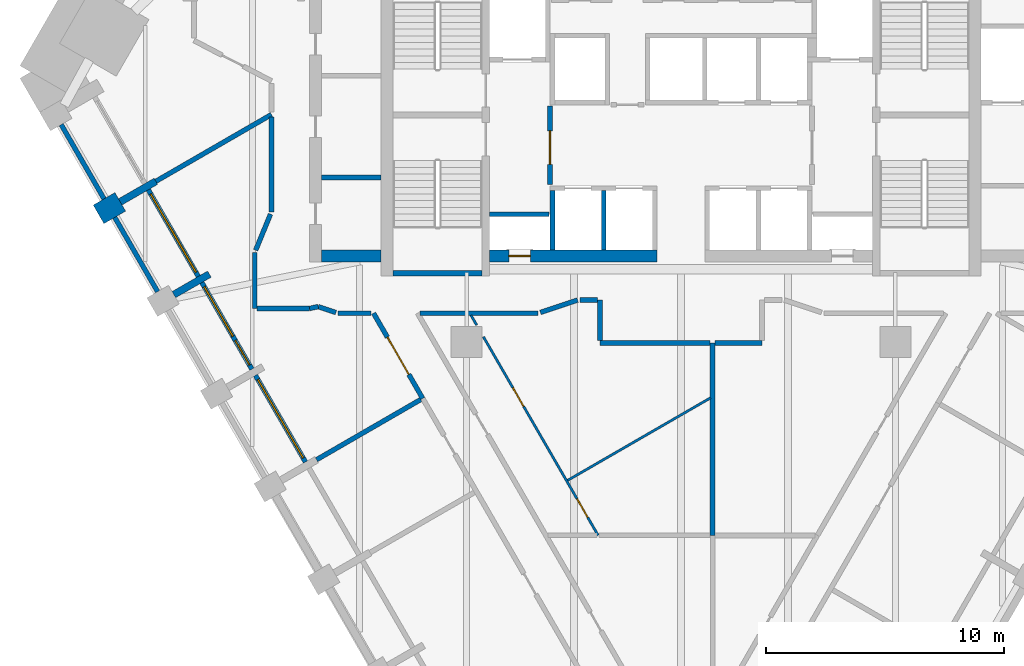
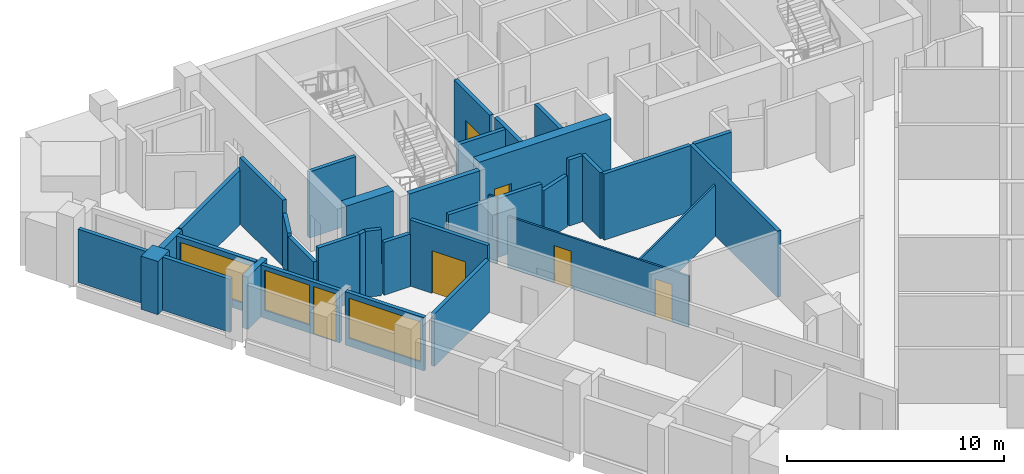
# One storey, part 4 of 10: 36 walls, 6 doors, 3 windows, 9 openings.
"""IFC4 building model written with IfcOpenShell, lengths in metres."""

import ifcopenshell
import ifcopenshell.guid

model = None  # the IFC model being written
_history = None  # IfcOwnerHistory: only IFC2X3 demands one
_inside = {}  # id of a spatial element -> (the spatial element, [elements in it])
_under = {}  # id of a project, library or spatial element -> (it, [spatial elements below it])
_declared = {}  # id of a project -> (the project, [libraries it declares])
_typed = {}  # id of a type object -> (the type object, [elements of that type])
_made_of = {}  # id of a material, layer set ... -> (it, [elements and type objects made of it])


def new_model(schema):
    """Start an empty IFC model of exactly this schema.

    Asked for "IFC4X3", IfcOpenShell would pick the latest addendum, in which some entities
    have other attributes; the version numbers below select the first issue.
    IFC2X3 requires an IfcOwnerHistory on every rooted entity: one is made here for all.
    """
    global model, _history
    if schema == "IFC4X3":
        model = ifcopenshell.file(schema_version=(4, 3, 0, 0))
    else:
        model = ifcopenshell.file(schema=schema)
    _inside.clear()
    _under.clear()
    _declared.clear()
    _typed.clear()
    _made_of.clear()
    _history = None
    if model.schema == "IFC2X3":
        org = make("IfcOrganization", Name="unknown")
        user = make(
            "IfcPersonAndOrganization",
            ThePerson=make("IfcPerson", FamilyName="unknown"),
            TheOrganization=org,
        )
        app = make(
            "IfcApplication",
            ApplicationDeveloper=org,
            Version="unknown",
            ApplicationFullName="unknown",
            ApplicationIdentifier="unknown",
        )
        _history = make(
            "IfcOwnerHistory",
            OwningUser=user,
            OwningApplication=app,
            ChangeAction="ADDED",
            CreationDate=0,
        )
    return model


def make(cls, **values):
    """One entity of the class cls with the attributes given. An attribute that is None is left unset."""
    return model.create_entity(
        cls, **{name: value for name, value in values.items() if value is not None}
    )


def rooted(cls, **values):
    """An entity with a GlobalId (a new one), such as an element, a storey or a relation."""
    return make(cls, GlobalId=ifcopenshell.guid.new(), OwnerHistory=_history, **values)


def si_unit(unit_type, name, prefix=None):
    """IfcSIUnit, for example si_unit("LENGTHUNIT", "METRE", prefix="MILLI")."""
    return make("IfcSIUnit", UnitType=unit_type, Prefix=prefix, Name=name)


def assignment(units):
    """IfcUnitAssignment: the units of a project."""
    return None if units is None else make("IfcUnitAssignment", Units=units)


def point(xyz):
    """IfcCartesianPoint."""
    return None if xyz is None else make("IfcCartesianPoint", Coordinates=xyz)


def direction(xyz):
    """IfcDirection."""
    return None if xyz is None else make("IfcDirection", DirectionRatios=xyz)


def frame(location, z_axis=None, x_axis=None):
    """IfcAxis2Placement3D, a coordinate frame: its origin and axes. An axis left out is left unset."""
    return make(
        "IfcAxis2Placement3D",
        Location=point(location),
        Axis=direction(z_axis),
        RefDirection=direction(x_axis),
    )


def frame_2d(location, x_axis=None):
    """IfcAxis2Placement2D, a coordinate frame in the plane: its origin and x axis."""
    return make(
        "IfcAxis2Placement2D", Location=point(location), RefDirection=direction(x_axis)
    )


def origin():
    """The frame at (0, 0, 0) with its axes left unset."""
    return frame((0.0, 0.0, 0.0))


def place(relative_to, where):
    """IfcLocalPlacement: puts the frame where relative to a parent placement (None: the world)."""
    return make(
        "IfcLocalPlacement", PlacementRelTo=relative_to, RelativePlacement=where
    )


def context(
    kind, dimensions, precision=None, world=None, true_north=None, identifier=None
):
    """IfcGeometricRepresentationContext, for example the 3D "Model" context."""
    return make(
        "IfcGeometricRepresentationContext",
        ContextIdentifier=identifier,
        ContextType=kind,
        CoordinateSpaceDimension=dimensions,
        Precision=precision,
        WorldCoordinateSystem=world,
        TrueNorth=true_north,
    )


def subcontext(parent, identifier, kind, view, scale=None):
    """IfcGeometricRepresentationSubContext, for example "Body" below "Model"."""
    return make(
        "IfcGeometricRepresentationSubContext",
        ContextIdentifier=identifier,
        ContextType=kind,
        ParentContext=parent,
        TargetScale=scale,
        TargetView=view,
    )


def project(units=None, contexts=None):
    """IfcProject with its units and contexts."""
    return rooted(
        "IfcProject",
        Name="project",
        RepresentationContexts=contexts,
        UnitsInContext=assignment(units),
    )


def spatial(cls, under=None, at=None, **own):
    """A site, building, storey or space (cls), placed at a placement, below another one or the project."""
    s = rooted(cls, ObjectPlacement=at, **own)
    if under is not None:
        _under.setdefault(under.id(), (under, []))[1].append(s)
    return s


def polyline(points):
    """IfcPolyline through the points."""
    return make("IfcPolyline", Points=[point(p) for p in points])


def profile(cls, at=None, kind="AREA", **sizes):
    """A parametric profile (cls). Its sizes go by their IFC names, for example OverallWidth=200.0."""
    return make(cls, ProfileType=kind, Position=at, **sizes)


def rectangle(**sizes):
    """IfcRectangleProfileDef."""
    return profile("IfcRectangleProfileDef", **sizes)


def outline(outer, holes=None, kind="AREA"):
    """IfcArbitraryClosedProfileDef: a profile drawn as a closed curve; with holes, ...WithVoids."""
    if holes is None:
        return make("IfcArbitraryClosedProfileDef", ProfileType=kind, OuterCurve=outer)
    return make(
        "IfcArbitraryProfileDefWithVoids",
        ProfileType=kind,
        OuterCurve=outer,
        InnerCurves=holes,
    )


def extrude(swept, where, along, depth):
    """IfcExtrudedAreaSolid: the profile swept, set in the frame where, extruded along a direction by depth."""
    return make(
        "IfcExtrudedAreaSolid",
        SweptArea=swept,
        Position=where,
        ExtrudedDirection=direction(along),
        Depth=depth,
    )


def shape(context_of_items, identifier, shape_type, items):
    """IfcShapeRepresentation: the items that make up one representation, for example the "Body"."""
    return make(
        "IfcShapeRepresentation",
        ContextOfItems=context_of_items,
        RepresentationIdentifier=identifier,
        RepresentationType=shape_type,
        Items=items,
    )


def material(Name=None, Category=None):
    """IfcMaterial."""
    return make("IfcMaterial", Name=Name, Category=Category)


def layer(
    of_material, thickness, ventilated=None, Name=None, Category=None, Priority=None
):
    """IfcMaterialLayer: one layer of a wall or slab, of a material (None: an air gap)."""
    return make(
        "IfcMaterialLayer",
        Material=of_material,
        LayerThickness=thickness,
        IsVentilated=ventilated,
        Name=Name,
        Category=Category,
        Priority=Priority,
    )


def layer_set(layers, Name=None):
    """IfcMaterialLayerSet."""
    return make("IfcMaterialLayerSet", MaterialLayers=layers, LayerSetName=Name)


def made_of(thing, what):
    """Note that an element or type object is made of a material, layer set ...; save() writes the relation."""
    if what is not None:
        _made_of.setdefault(what.id(), (what, []))[1].append(thing)
    return thing


def type_object(cls, material=None, **own):
    """A type object (cls), such as IfcWallType, which elements share."""
    return made_of(rooted(cls, **own), material)


def element(
    cls,
    number,
    at=None,
    inside=None,
    cuts=None,
    type_object=None,
    material=None,
    context=None,
    identifier="Body",
    shape_type=None,
    held_by="IfcProductDefinitionShape",
    body=None,
    shapes=None,
    **own,
):
    """One element of the class cls, such as IfcWall. Its Tag is "e" and its number.

    at: its placement. inside: the storey or other place that contains it. cuts: it is an
    opening in that element (IfcRelVoidsElement). A single representation is given by context,
    identifier, shape_type and body (its items); several are given by shapes. held_by: the class
    of the entity that holds the representations. save() writes the other relations.
    """
    e = rooted(cls, Tag="e%d" % number, ObjectPlacement=at, **own)
    if body is not None:
        shapes = [shape(context, identifier, shape_type, body)]
    if shapes is not None:
        e.Representation = make(held_by, Representations=shapes)
    if inside is not None:
        _inside.setdefault(inside.id(), (inside, []))[1].append(e)
    if cuts is not None:
        rooted(
            "IfcRelVoidsElement", RelatingBuildingElement=cuts, RelatedOpeningElement=e
        )
    if type_object is not None:
        _typed.setdefault(type_object.id(), (type_object, []))[1].append(e)
    return made_of(e, material)


def fill(opening, filler):
    """IfcRelFillsElement: the door or window that sits in an opening."""
    return rooted(
        "IfcRelFillsElement",
        RelatingOpeningElement=opening,
        RelatedBuildingElement=filler,
    )


def aggregate(whole, parts):
    """IfcRelAggregates: a whole, such as a stair, and the parts it consists of."""
    return rooted("IfcRelAggregates", RelatingObject=whole, RelatedObjects=parts)


def save(model, path):
    """Write the relations noted so far, then the file.

    IfcRelAggregates (storeys below a building ...), IfcRelContainedInSpatialStructure (elements
    in a storey), IfcRelDefinesByType, IfcRelAssociatesMaterial and IfcRelDeclares: one each for
    every whole, place, type object, material and project.
    """
    for whole, parts in _under.values():
        aggregate(whole, parts)
    for where, things in _inside.values():
        rooted(
            "IfcRelContainedInSpatialStructure",
            RelatedElements=things,
            RelatingStructure=where,
        )
    for kind, things in _typed.values():
        rooted("IfcRelDefinesByType", RelatedObjects=things, RelatingType=kind)
    for what, things in _made_of.values():
        rooted("IfcRelAssociatesMaterial", RelatedObjects=things, RelatingMaterial=what)
    for by, libraries in _declared.values():
        rooted("IfcRelDeclares", RelatingContext=by, RelatedDefinitions=libraries)
    model.write(path)


model = new_model("IFC4")

# Units and contexts
model_context = context("Model", 3, precision=1e-05, world=origin(), true_north=direction((0.0, 1.0)))
body_context = subcontext(model_context, "Body", "Model", "MODEL_VIEW")
ifc_project = project(units=[si_unit("LENGTHUNIT", "METRE"), si_unit("AREAUNIT", "SQUARE_METRE"), si_unit("VOLUMEUNIT", "CUBIC_METRE"), si_unit("PLANEANGLEUNIT", "RADIAN"), si_unit("MASSUNIT", "GRAM", prefix="KILO")], contexts=[model_context])

# Site, building, storey
site_placement = place(None, origin())
site = spatial("IfcSite", under=ifc_project, at=site_placement, CompositionType="ELEMENT")
building_placement = place(site_placement, origin())
building = spatial("IfcBuilding", under=site, at=building_placement, Name="Calabash Gate Tower", CompositionType="ELEMENT")
storey_placement = place(building_placement, frame((0.0, 0.0, 148.5)))
storey = spatial("IfcBuildingStorey", under=building, at=storey_placement, Name="L34", CompositionType="ELEMENT", Elevation=148.5)

# Walls
ifc_material_1 = material(Name="Terracotta brick masonry, exposed face", Category="masonry")
ifc_layer_1 = layer(ifc_material_1, 1.050048828125)
ifc_layer_set_1 = layer_set([ifc_layer_1], Name="Brick end wall 1050")
wall_type_1 = type_object("IfcWallType", Name="Brick end wall 1050", PredefinedType="SOLIDWALL", material=ifc_layer_set_1)
wall_1_placement = place(storey_placement, frame((-24.459716796875, 7.8505859375, 0.0), z_axis=(0.0, 0.0, 1.0), x_axis=(0.866088799389, 0.499890179513, 0.0)))
element("IfcWall", 1, at=wall_1_placement, inside=storey, type_object=wall_type_1, Name="Brick pier S09 SW0.1", PredefinedType="SOLIDWALL", context=body_context, shape_type="SweptSolid", body=[
    extrude(rectangle(XDim=1.050048828125, YDim=0.89990234375, at=frame_2d((0.52490234375, 0.0))), origin(), (0.0, 0.0, 1.0), 3.0),
])
ifc_material_2 = material(Name="Terracotta brick masonry, exposed face", Category="masonry")
ifc_layer_2 = layer(ifc_material_2, 0.300048828125)
ifc_layer_set_2 = layer_set([ifc_layer_2], Name="Brick loggia cheek wall 300")
wall_type_2 = type_object("IfcWallType", Name="Brick loggia cheek wall 300", PredefinedType="SOLIDWALL", material=ifc_layer_set_2)
wall_2_placement = place(storey_placement, frame((-23.55029296875, 8.37548828125, 0.0), z_axis=(0.0, 0.0, 1.0), x_axis=(0.866013532718, 0.500020560727, 0.0)))
element("IfcWall", 2, at=wall_2_placement, inside=storey, type_object=wall_type_2, Name="Loggia cheek S09 SW0.1", PredefinedType="SOLIDWALL", context=body_context, shape_type="SweptSolid", body=[
    extrude(rectangle(XDim=1.72509765625, YDim=0.300048828125, at=frame_2d((0.862548828125, 0.0))), origin(), (0.0, 0.0, 1.0), 3.0),
])
wall_3_placement = place(storey_placement, frame((-21.298828125, 4.479248046875, 0.0), z_axis=(0.0, 0.0, 1.0), x_axis=(0.866046395405, 0.499963639683, 0.0)))
element("IfcWall", 3, at=wall_3_placement, inside=storey, type_object=wall_type_2, Name="Loggia cheek S09 SW0.2", PredefinedType="SOLIDWALL", context=body_context, shape_type="SweptSolid", body=[
    extrude(rectangle(XDim=1.723388671875, YDim=0.300048828125, at=frame_2d((0.86181640625, 0.0))), origin(), (0.0, 0.0, 1.0), 2.9501953125),
])
ifc_material_3 = material(Name="Gypsum board on steel studs, mineral wool", Category="steel")
ifc_layer_3 = layer(ifc_material_3, 0.199951171875)
ifc_layer_set_3 = layer_set([ifc_layer_3], Name="Core partition 200 gypsum board")
wall_type_3 = type_object("IfcWallType", Name="Core partition 200 gypsum board", PredefinedType="PARTITIONING", material=ifc_layer_set_3)
wall_4_placement = place(storey_placement, frame((-15.10009765625, 9.402587890625, 0.0), z_axis=(0.0, 0.0, 1.0), x_axis=(1.0, 0.0, 0.0)))
element("IfcWall", 4, at=wall_4_placement, inside=storey, type_object=wall_type_3, Name="Core partition", PredefinedType="PARTITIONING", context=body_context, shape_type="SweptSolid", body=[
    extrude(rectangle(XDim=2.5, YDim=0.199951171875, at=frame_2d((1.25, 0.0))), origin(), (0.0, 0.0, 1.0), 3.72998046875),
])
ifc_material_4 = material(Name="Concrete C70/85", Category="concrete")
ifc_layer_4 = layer(ifc_material_4, 0.25)
ifc_layer_set_4 = layer_set([ifc_layer_4], Name="Core wall 250 Concrete C70/85")
wall_type_4 = type_object("IfcWallType", Name="Core wall 250 Concrete C70/85", PredefinedType="SHEAR", material=ifc_layer_set_4)
wall_5_placement = place(storey_placement, frame((-12.10009765625, 5.377685546875, 0.0), z_axis=(0.0, 0.0, 1.0), x_axis=(1.0, 0.0, 0.0)))
element("IfcWall", 5, at=wall_5_placement, inside=storey, type_object=wall_type_4, Name="Core wall Z3-SSW L34", PredefinedType="SHEAR", context=body_context, shape_type="SweptSolid", body=[
    extrude(rectangle(XDim=3.75, YDim=0.25, at=frame_2d((1.875, 0.0))), origin(), (0.0, 0.0, 1.0), 3.89990234375),
])

# Wall, opening, door
ifc_material_5 = material(Name="Concrete C70/85", Category="concrete")
ifc_layer_5 = layer(ifc_material_5, 0.5)
ifc_layer_set_5 = layer_set([ifc_layer_5], Name="Core wall 500 Concrete C70/85")
wall_type_5 = type_object("IfcWallType", Name="Core wall 500 Concrete C70/85", PredefinedType="SHEAR", material=ifc_layer_set_5)
wall_6_placement = place(storey_placement, frame((-8.050048828125, 6.1025390625, 0.0), z_axis=(0.0, 0.0, 1.0), x_axis=(1.0, 0.0, 0.0)))
wall_6 = element("IfcWall", 6, at=wall_6_placement, inside=storey, type_object=wall_type_5, Name="Core wall Z3-SA L34", PredefinedType="SHEAR", context=body_context, shape_type="SweptSolid", body=[
    extrude(rectangle(XDim=7.050048828125, YDim=0.5, at=frame_2d((3.52490234375, 0.0))), origin(), (0.0, 0.0, 1.0), 3.89990234375),
])
opening_1_placement = place(wall_6_placement, frame((0.824951171875, 0.0, 0.0)))
opening_1 = element("IfcOpeningElement", 7, at=opening_1_placement, cuts=wall_6, Name="Opening O1-015", PredefinedType="OPENING", context=body_context, shape_type="SweptSolid", body=[
    extrude(rectangle(XDim=0.89990234375, YDim=2.10009765625, at=frame_2d((0.449951171875, 1.050048828125))), frame((0.0, 0.260009765625, 0.0), z_axis=(0.0, -1.0, 0.0), x_axis=(1.0, 0.0, 0.0)), (0.0, 0.0, 1.0), 0.52001953125),
])
ifc_material_6 = material(Name="Steel fire door set with fire-resisting glazing", Category="steel")
door_type_1 = type_object("IfcDoorType", Name="Fire door D07 900x2100 FD90", OperationType="NOTDEFINED", PredefinedType="DOOR", material=ifc_material_6)
door_1_placement = place(opening_1_placement, origin())
door_1 = element("IfcDoor", 8, at=door_1_placement, inside=storey, type_object=door_type_1, Name="Electrical Riser W door", OperationType="SINGLE_SWING_LEFT", OverallHeight=2.10009765625, OverallWidth=0.89990234375, PredefinedType="DOOR", context=body_context, shape_type="SweptSolid", body=[
    extrude(rectangle(XDim=0.89990234375, YDim=2.10009765625, at=frame_2d((0.449951171875, 1.050048828125))), frame((0.0, 0.02490234375, 0.0), z_axis=(0.0, -1.0, 0.0), x_axis=(1.0, 0.0, 0.0)), (0.0, 0.0, 1.0), 0.050048828125),
])
fill(opening_1, door_1)

# Walls
wall_7_placement = place(storey_placement, frame((-12.60009765625, 6.1025390625, 0.0), z_axis=(0.0, 0.0, 1.0), x_axis=(-1.0, 0.0, 0.0)))
element("IfcWall", 9, at=wall_7_placement, inside=storey, type_object=wall_type_5, Name="Core wall Z3-SW L34", PredefinedType="SHEAR", context=body_context, shape_type="SweptSolid", body=[
    extrude(rectangle(XDim=2.5, YDim=0.5, at=frame_2d((1.25, 0.0))), origin(), (0.0, 0.0, 1.0), 3.89990234375),
])
ifc_material_7 = material(Name="Gypsum board on steel studs, mineral wool", Category="steel")
ifc_layer_6 = layer(ifc_material_7, 0.10009765625)
ifc_layer_set_6 = layer_set([ifc_layer_6], Name="Partition 100 gypsum board")
wall_type_6 = type_object("IfcWallType", Name="Partition 100 gypsum board", PredefinedType="PARTITIONING", material=ifc_layer_set_6)
wall_8_placement = place(storey_placement, frame((-4.759033203125, -3.318115234375, 0.0), z_axis=(0.0, 0.0, 1.0), x_axis=(0.866002450397, 0.500039754326, 0.0)))
element("IfcWall", 10, at=wall_8_placement, inside=storey, type_object=wall_type_6, Name="Partition", PredefinedType="PARTITIONING", context=body_context, shape_type="SweptSolid", body=[
    extrude(rectangle(XDim=6.9267578125, YDim=0.10009765625, at=frame_2d((3.46337890625, 0.0))), origin(), (0.0, 0.0, 1.0), 2.884033203125),
])

# Wall, openings, doors
wall_9_placement = place(storey_placement, frame((-8.300048828125, 2.711669921875, 0.0), z_axis=(0.0, 0.0, 1.0), x_axis=(0.500225649327, -0.865895085882, 0.0)))
wall_9 = element("IfcWall", 11, at=wall_9_placement, inside=storey, type_object=wall_type_6, Name="Partition", PredefinedType="PARTITIONING", context=body_context, shape_type="SweptSolid", body=[
    extrude(rectangle(XDim=9.630859375, YDim=0.10009765625, at=frame_2d((4.8154296875, 0.0))), origin(), (0.0, 0.0, 1.0), 2.884033203125),
])
opening_2_placement = place(wall_9_placement, frame((2.474609375, 0.0, 0.0)))
opening_2 = element("IfcOpeningElement", 12, at=opening_2_placement, cuts=wall_9, Name="Opening 33-35-018", PredefinedType="OPENING", context=body_context, shape_type="SweptSolid", body=[
    extrude(rectangle(XDim=0.89990234375, YDim=2.10009765625, at=frame_2d((0.449951171875, 1.050048828125))), frame((0.0, 0.06005859375, 0.0), z_axis=(0.0, -1.0, 0.0), x_axis=(1.0, 0.0, 0.0)), (0.0, 0.0, 1.0), 0.1201171875),
])
opening_3_placement = place(wall_9_placement, frame((7.860595703125, 0.0, 0.0)))
opening_3 = element("IfcOpeningElement", 13, at=opening_3_placement, cuts=wall_9, Name="Opening 33-35-019", PredefinedType="OPENING", context=body_context, shape_type="SweptSolid", body=[
    extrude(rectangle(XDim=0.89990234375, YDim=2.10009765625, at=frame_2d((0.449951171875, 1.050048828125))), frame((0.0, 0.06005859375, 0.0), z_axis=(0.0, -1.0, 0.0), x_axis=(1.0, 0.0, 0.0)), (0.0, 0.0, 1.0), 0.1201171875),
])
ifc_material_8 = material(Name="Painted timber door", Category="wood")
door_type_2 = type_object("IfcDoorType", Name="WD1 WC door 900x2100", OperationType="NOTDEFINED", PredefinedType="DOOR", material=ifc_material_8)
door_2_placement = place(opening_2_placement, origin())
door_2 = element("IfcDoor", 14, at=door_2_placement, inside=storey, type_object=door_type_2, Name="WC door", OperationType="SINGLE_SWING_LEFT", OverallHeight=2.10009765625, OverallWidth=0.89990234375, PredefinedType="DOOR", context=body_context, shape_type="SweptSolid", body=[
    extrude(rectangle(XDim=0.89990234375, YDim=2.10009765625, at=frame_2d((0.449951171875, 1.050048828125))), frame((0.0, 0.02490234375, 0.0), z_axis=(0.0, -1.0, 0.0), x_axis=(1.0, 0.0, 0.0)), (0.0, 0.0, 1.0), 0.050048828125),
])
fill(opening_2, door_2)
door_3_placement = place(opening_3_placement, origin())
door_3 = element("IfcDoor", 15, at=door_3_placement, inside=storey, type_object=door_type_2, Name="WC door", OperationType="SINGLE_SWING_RIGHT", OverallHeight=2.10009765625, OverallWidth=0.89990234375, PredefinedType="DOOR", context=body_context, shape_type="SweptSolid", body=[
    extrude(rectangle(XDim=0.89990234375, YDim=2.10009765625, at=frame_2d((0.449951171875, 1.050048828125))), frame((0.0, 0.02490234375, 0.0), z_axis=(0.0, -1.0, 0.0), x_axis=(1.0, 0.0, 0.0)), (0.0, 0.0, 1.0), 0.050048828125),
])
fill(opening_3, door_3)

# Walls
wall_10_placement = place(storey_placement, frame((-8.81884765625, 3.613037109375, 0.0), z_axis=(0.0, 0.0, 1.0), x_axis=(0.497353240991, -0.867548127585, 0.0)))
element("IfcWall", 16, at=wall_10_placement, inside=storey, type_object=wall_type_6, Name="Partition", PredefinedType="PARTITIONING", context=body_context, shape_type="SweptSolid", body=[
    extrude(rectangle(XDim=0.47607421875, YDim=0.10009765625, at=frame_2d((0.238037109375, 0.0))), origin(), (0.0, 0.0, 1.0), 3.72998046875),
])
ifc_material_9 = material(Name="Gypsum board on steel studs, mineral wool", Category="steel")
ifc_layer_7 = layer(ifc_material_9, 0.199951171875)
ifc_layer_set_7 = layer_set([ifc_layer_7], Name="Partition 200 gypsum board EI 60")
wall_type_7 = type_object("IfcWallType", Name="Partition 200 gypsum board EI 60", PredefinedType="PARTITIONING", material=ifc_layer_set_7)
wall_11_placement = place(storey_placement, frame((1.324462890625, -5.627197265625, 0.0), z_axis=(0.0, 0.0, 1.0), x_axis=(0.0, 1.0, 0.0)))
element("IfcWall", 17, at=wall_11_placement, inside=storey, type_object=wall_type_7, Name="Partition", PredefinedType="PARTITIONING", context=body_context, shape_type="SweptSolid", body=[
    extrude(rectangle(XDim=8.077880859375, YDim=0.199951171875, at=frame_2d((4.0390625, 0.0))), origin(), (0.0, 0.0, 1.0), 3.72998046875),
])
wall_12_placement = place(storey_placement, frame((-15.306640625, -2.452880859375, 0.0), z_axis=(0.0, 0.0, 1.0), x_axis=(0.865894858421, 0.500226043064, 0.0)))
element("IfcWall", 18, at=wall_12_placement, inside=storey, type_object=wall_type_7, Name="Partition", PredefinedType="PARTITIONING", context=body_context, shape_type="SweptSolid", body=[
    extrude(rectangle(XDim=5.049560546875, YDim=0.199951171875, at=frame_2d((2.52490234375, 0.0))), origin(), (0.0, 0.0, 1.0), 2.9736328125),
])

# Wall, opening, door
wall_13_placement = place(storey_placement, frame((-12.91259765625, 3.699462890625, 0.0), z_axis=(0.0, 0.0, 1.0), x_axis=(0.499679817836, -0.866210182143, 0.0)))
wall_13 = element("IfcWall", 19, at=wall_13_placement, inside=storey, type_object=wall_type_7, Name="Partition", PredefinedType="PARTITIONING", context=body_context, shape_type="SweptSolid", body=[
    extrude(rectangle(XDim=4.131103515625, YDim=0.199951171875, at=frame_2d((2.0654296875, 0.0))), origin(), (0.0, 0.0, 1.0), 3.72998046875),
])
opening_4_placement = place(wall_13_placement, frame((1.16552734375, 0.0, 0.0)))
opening_4 = element("IfcOpeningElement", 20, at=opening_4_placement, cuts=wall_13, Name="Opening 33-35-012", PredefinedType="OPENING", context=body_context, shape_type="SweptSolid", body=[
    extrude(rectangle(XDim=1.800048828125, YDim=2.39990234375, at=frame_2d((0.89990234375, 1.199951171875))), frame((0.0, 0.10986328125, 0.0), z_axis=(0.0, -1.0, 0.0), x_axis=(1.0, 0.0, 0.0)), (0.0, 0.0, 1.0), 0.219970703125),
])
ifc_material_10 = material(Name="Steel fire door set with fire-resisting glazing", Category="steel")
door_type_3 = type_object("IfcDoorType", Name="OD5 Open office double door 1800x2400", OperationType="NOTDEFINED", PredefinedType="DOOR", material=ifc_material_10)
door_4_placement = place(opening_4_placement, origin())
door_4 = element("IfcDoor", 21, at=door_4_placement, inside=storey, type_object=door_type_3, Name="Open office double door", OperationType="DOUBLE_DOOR_SINGLE_SWING", OverallHeight=2.39990234375, OverallWidth=1.800048828125, PredefinedType="DOOR", context=body_context, shape_type="SweptSolid", body=[
    extrude(rectangle(XDim=1.800048828125, YDim=2.39990234375, at=frame_2d((0.89990234375, 1.199951171875))), frame((0.0, 0.02490234375, 0.0), z_axis=(0.0, -1.0, 0.0), x_axis=(1.0, 0.0, 0.0)), (0.0, 0.0, 1.0), 0.050048828125),
])
fill(opening_4, door_4)

# Walls
wall_14_placement = place(storey_placement, frame((-3.400146484375, 2.452392578125, 0.0), z_axis=(0.0, 0.0, 1.0), x_axis=(0.999999931717, -0.000369549125, 0.0)))
element("IfcWall", 22, at=wall_14_placement, inside=storey, type_object=wall_type_7, Name="Partition", PredefinedType="PARTITIONING", context=body_context, shape_type="SweptSolid", body=[
    extrude(rectangle(XDim=4.62451171875, YDim=0.199951171875, at=frame_2d((2.312255859375, 0.0))), origin(), (0.0, 0.0, 1.0), 3.72998046875),
])
wall_15_placement = place(storey_placement, frame((1.426513671875, 2.45068359375, 0.0), z_axis=(0.0, 0.0, 1.0), x_axis=(0.999999625102, 0.000865907642, 0.0)))
element("IfcWall", 23, at=wall_15_placement, inside=storey, type_object=wall_type_7, Name="Partition", PredefinedType="PARTITIONING", context=body_context, shape_type="SweptSolid", body=[
    extrude(rectangle(XDim=1.9736328125, YDim=0.199951171875, at=frame_2d((0.98681640625, 0.0))), origin(), (0.0, 0.0, 1.0), 3.72998046875),
])
wall_16_placement = place(storey_placement, frame((-3.402099609375, 4.25048828125, 0.0), z_axis=(0.0, 0.0, 1.0), x_axis=(0.001150250857, -0.999999338461, 0.0)))
element("IfcWall", 24, at=wall_16_placement, inside=storey, type_object=wall_type_7, Name="Partition", PredefinedType="PARTITIONING", context=body_context, shape_type="SweptSolid", body=[
    extrude(rectangle(XDim=1.697998046875, YDim=0.199951171875, at=frame_2d((0.84912109375, 0.0))), origin(), (0.0, 0.0, 1.0), 3.72998046875),
])
wall_17_placement = place(storey_placement, frame((-14.400146484375, 3.699462890625, 0.0), z_axis=(0.0, 0.0, 1.0), x_axis=(1.0, 0.0, 0.0)))
element("IfcWall", 25, at=wall_17_placement, inside=storey, type_object=wall_type_7, Name="Partition", PredefinedType="PARTITIONING", context=body_context, shape_type="SweptSolid", body=[
    extrude(rectangle(XDim=1.387451171875, YDim=0.199951171875, at=frame_2d((0.69384765625, 0.0))), origin(), (0.0, 0.0, 1.0), 2.9736328125),
])
wall_18_placement = place(storey_placement, frame((-10.964599609375, 3.69970703125, 0.0), z_axis=(0.0, 0.0, 1.0), x_axis=(1.0, 0.0, 0.0)))
element("IfcWall", 26, at=wall_18_placement, inside=storey, type_object=wall_type_7, Name="Partition", PredefinedType="PARTITIONING", context=body_context, shape_type="SweptSolid", body=[
    extrude(rectangle(XDim=4.964599609375, YDim=0.199951171875, at=frame_2d((2.482421875, 0.0))), origin(), (0.0, 0.0, 1.0), 3.33154296875),
])
wall_19_placement = place(storey_placement, frame((-15.233642578125, 3.977294921875, 0.0), z_axis=(0.0, 0.0, 1.0), x_axis=(0.948745985677, -0.316039640966, 0.0)))
element("IfcWall", 27, at=wall_19_placement, inside=storey, type_object=wall_type_7, Name="Partition", PredefinedType="PARTITIONING", context=body_context, shape_type="SweptSolid", body=[
    extrude(rectangle(XDim=0.778564453125, YDim=0.199951171875, at=frame_2d((0.38916015625, 0.0))), origin(), (0.0, 0.0, 1.0), 3.72998046875),
])
wall_20_placement = place(storey_placement, frame((-17.900390625, 6.252685546875, 0.0), z_axis=(0.0, 0.0, 1.0), x_axis=(0.0, -1.0, 0.0)))
element("IfcWall", 28, at=wall_20_placement, inside=storey, type_object=wall_type_7, Name="Partition", PredefinedType="PARTITIONING", context=body_context, shape_type="SweptSolid", body=[
    extrude(rectangle(XDim=2.35302734375, YDim=0.199951171875, at=frame_2d((1.176513671875, 0.0))), origin(), (0.0, 0.0, 1.0), 2.9501953125),
])
wall_21_placement = place(storey_placement, frame((-17.80029296875, 3.899658203125, 0.0), z_axis=(0.0, 0.0, 1.0), x_axis=(0.999999993844, -0.00011096316, 0.0)))
element("IfcWall", 29, at=wall_21_placement, inside=storey, type_object=wall_type_7, Name="Partition", PredefinedType="PARTITIONING", context=body_context, shape_type="SweptSolid", body=[
    extrude(rectangle(XDim=2.2001953125, YDim=0.199951171875, at=frame_2d((1.10009765625, 0.0))), origin(), (0.0, 0.0, 1.0), 3.72998046875),
])
wall_22_placement = place(storey_placement, frame((-15.60009765625, 3.8994140625, 0.0), z_axis=(0.0, 0.0, 1.0), x_axis=(0.978153882022, 0.207882137485, 0.0)))
element("IfcWall", 30, at=wall_22_placement, inside=storey, type_object=wall_type_7, Name="Partition", PredefinedType="PARTITIONING", context=body_context, shape_type="SweptSolid", body=[
    extrude(rectangle(XDim=0.374755859375, YDim=0.199951171875, at=frame_2d((0.1875, 0.0))), origin(), (0.0, 0.0, 1.0), 3.72998046875),
])
wall_23_placement = place(storey_placement, frame((-5.905029296875, 3.7314453125, 0.0), z_axis=(0.0, 0.0, 1.0), x_axis=(0.948668476379, 0.316272227557, 0.0)))
element("IfcWall", 31, at=wall_23_placement, inside=storey, type_object=wall_type_7, Name="Partition", PredefinedType="PARTITIONING", context=body_context, shape_type="SweptSolid", body=[
    extrude(rectangle(XDim=1.647216796875, YDim=0.199951171875, at=frame_2d((0.82373046875, 0.0))), origin(), (0.0, 0.0, 1.0), 2.884033203125),
])
wall_24_placement = place(storey_placement, frame((-4.2421875, 4.252197265625, 0.0), z_axis=(0.0, 0.0, 1.0), x_axis=(0.999998041999, -0.001978887946, 0.0)))
element("IfcWall", 32, at=wall_24_placement, inside=storey, type_object=wall_type_7, Name="Partition", PredefinedType="PARTITIONING", context=body_context, shape_type="SweptSolid", body=[
    extrude(rectangle(XDim=0.740234375, YDim=0.199951171875, at=frame_2d((0.3701171875, 0.0))), origin(), (0.0, 0.0, 1.0), 3.72998046875),
])
wall_25_placement = place(storey_placement, frame((-17.8623046875, 6.34521484375, 0.0), z_axis=(0.0, 0.0, 1.0), x_axis=(0.380749805254, 0.924678098475, 0.0)))
element("IfcWall", 33, at=wall_25_placement, inside=storey, type_object=wall_type_7, Name="Partition", PredefinedType="PARTITIONING", context=body_context, shape_type="SweptSolid", body=[
    extrude(rectangle(XDim=1.63818359375, YDim=0.199951171875, at=frame_2d((0.819091796875, 0.0))), origin(), (0.0, 0.0, 1.0), 3.052001953125),
])
wall_26_placement = place(storey_placement, frame((-17.201904296875, 11.940673828125, 0.0), z_axis=(0.0, 0.0, 1.0), x_axis=(0.000367309433, -0.999999932542, 0.0)))
element("IfcWall", 34, at=wall_26_placement, inside=storey, type_object=wall_type_7, Name="Partition", PredefinedType="PARTITIONING", context=body_context, shape_type="SweptSolid", body=[
    extrude(rectangle(XDim=3.988037109375, YDim=0.199951171875, at=frame_2d((1.994140625, 0.0))), origin(), (0.0, 0.0, 1.0), 3.72998046875),
])
wall_27_placement = place(storey_placement, frame((-22.056396484375, 9.238037109375, 0.0), z_axis=(0.0, 0.0, 1.0), x_axis=(0.865883930219, 0.500244959384, 0.0)))
element("IfcWall", 35, at=wall_27_placement, inside=storey, type_object=wall_type_7, Name="Partition", PredefinedType="PARTITIONING", context=body_context, shape_type="SweptSolid", body=[
    extrude(rectangle(XDim=5.608154296875, YDim=0.199951171875, at=frame_2d((2.80419921875, 0.0))), origin(), (0.0, 0.0, 1.0), 3.052001953125),
])
ifc_material_11 = material(Name="Concrete C40/50", Category="concrete")
ifc_layer_8 = layer(ifc_material_11, 0.199951171875)
ifc_layer_set_8 = layer_set([ifc_layer_8], Name="Shaft wall 200 Concrete C40/50")
wall_type_8 = type_object("IfcWallType", Name="Shaft wall 200 Concrete C40/50", PredefinedType="SOLIDWALL", material=ifc_layer_set_8)
for number, where, z_axis, x_axis, name in (
    (36, (-5.39990234375, 6.3525390625, 0.0), (0.0, 0.0, 1.0), (0.0, 1.0, 0.0), "Shaft wall"),
    (37, (-3.25, 6.3525390625, 0.0), (0.0, 0.0, 1.0), (0.0, 1.0, 0.0), "Shaft wall"),
    (38, (-8.050048828125, 7.8525390625, 0.0), (0.0, 0.0, 1.0), (1.0, 0.0, 0.0), "Shaft wall"),
):
    element("IfcWall", number, at=place(storey_placement, frame(where, z_axis=z_axis, x_axis=x_axis)), inside=storey, type_object=wall_type_8, Name=name, PredefinedType="SOLIDWALL", context=body_context, shape_type="SweptSolid", body=[
        extrude(rectangle(XDim=2.5, YDim=0.199951171875, at=frame_2d((1.25, 0.0))), origin(), (0.0, 0.0, 1.0), 3.72998046875),
    ])

# Wall, opening, door
wall_28_placement = place(storey_placement, frame((-5.5, 9.1025390625, 0.0), z_axis=(0.0, 0.0, 1.0), x_axis=(0.0, 1.0, 0.0)))
wall_28 = element("IfcWall", 39, at=wall_28_placement, inside=storey, type_object=wall_type_8, Name="Shaft wall", PredefinedType="SOLIDWALL", context=body_context, shape_type="SweptSolid", body=[
    extrude(rectangle(XDim=3.300048828125, YDim=0.199951171875, at=frame_2d((1.64990234375, 0.0))), origin(), (0.0, 0.0, 1.0), 3.72998046875),
])
opening_5_placement = place(wall_28_placement, frame((0.85009765625, 0.0, 0.0)))
opening_5 = element("IfcOpeningElement", 40, at=opening_5_placement, cuts=wall_28, Name="Opening O1-009", PredefinedType="OPENING", context=body_context, shape_type="SweptSolid", body=[
    extrude(rectangle(XDim=1.39990234375, YDim=2.10009765625, at=frame_2d((0.699951171875, 1.050048828125))), frame((0.0, 0.10986328125, 0.0), z_axis=(0.0, -1.0, 0.0), x_axis=(1.0, 0.0, 0.0)), (0.0, 0.0, 1.0), 0.219970703125),
])
ifc_material_12 = material(Name="Steel fire door set with fire-resisting glazing", Category="steel")
door_type_4 = type_object("IfcDoorType", Name="Fire door D05 1400x2100 FD90", OperationType="NOTDEFINED", PredefinedType="DOOR", material=ifc_material_12)
door_5_placement = place(opening_5_placement, origin())
door_5 = element("IfcDoor", 41, at=door_5_placement, inside=storey, type_object=door_type_4, Name="Firefighting Lobby W door", OperationType="SINGLE_SWING_RIGHT", OverallHeight=2.10009765625, OverallWidth=1.39990234375, PredefinedType="DOOR", context=body_context, shape_type="SweptSolid", body=[
    extrude(rectangle(XDim=1.39990234375, YDim=2.10009765625, at=frame_2d((0.699951171875, 1.050048828125))), frame((0.0, 0.02490234375, 0.0), z_axis=(0.0, -1.0, 0.0), x_axis=(1.0, 0.0, 0.0)), (0.0, 0.0, 1.0), 0.050048828125),
])
fill(opening_5, door_5)

# Walls
ifc_material_13 = material(Name="Terracotta brick masonry, perforated", Category="masonry")
ifc_layer_9 = layer(ifc_material_13, 0.199951171875)
ifc_layer_set_9 = layer_set([ifc_layer_9], Name="Terracotta jaali screen A")
wall_type_9 = type_object("IfcWallType", Name="Terracotta jaali screen A", PredefinedType="SOLIDWALL", material=ifc_layer_set_9)
wall_29_placement = place(storey_placement, origin())
element("IfcWall", 42, at=wall_29_placement, inside=storey, type_object=wall_type_9, Name="SCREEN A S09 SW0.1", PredefinedType="SOLIDWALL", context=body_context, shape_type="SweptSolid", body=[
    extrude(outline(polyline([(-24.143310546875, 8.552734375), (-25.94287109375, 11.66943359375), (-26.115966796875, 11.5693359375), (-24.316650390625, 8.45263671875), (-24.143310546875, 8.552734375)])), origin(), (0.0, 0.0, 1.0), 3.0),
])
wall_30_placement = place(storey_placement, frame((-23.780029296875, 7.72314453125, 0.0), z_axis=(0.0, 0.0, 1.0), x_axis=(0.500012057535, -0.866018442252, 0.0)))
element("IfcWall", 43, at=wall_30_placement, inside=storey, type_object=wall_type_9, Name="SCREEN A S09 SW0.2", PredefinedType="SOLIDWALL", context=body_context, shape_type="SweptSolid", body=[
    extrude(rectangle(XDim=3.60009765625, YDim=0.199951171875, at=frame_2d((1.800048828125, 0.0))), origin(), (0.0, 0.0, 1.0), 3.0),
])

# Wall, opening, window
ifc_material_14 = material(Name="Aluminium framed window wall with insulated spandrel", Category="aluminium")
ifc_layer_10 = layer(ifc_material_14, 0.199951171875)
ifc_layer_set_10 = layer_set([ifc_layer_10], Name="Window wall 200")
wall_type_10 = type_object("IfcWallType", Name="Window wall 200", PredefinedType="ELEMENTEDWALL", material=ifc_layer_set_10)
wall_31_placement = place(storey_placement, frame((-22.37109375, 8.883056640625, 0.0), z_axis=(0.0, 0.0, 1.0), x_axis=(0.49998411664, -0.866034573852, 0.0)))
wall_31 = element("IfcWall", 44, at=wall_31_placement, inside=storey, type_object=wall_type_10, Name="Window wall S09 SW0.2", PredefinedType="ELEMENTEDWALL", context=body_context, shape_type="SweptSolid", body=[
    extrude(rectangle(XDim=4.199951171875, YDim=0.199951171875, at=frame_2d((2.10009765625, 0.0))), origin(), (0.0, 0.0, 1.0), 3.0),
])
opening_6_placement = place(wall_31_placement, frame((0.199951171875, 0.0, 0.449951171875)))
opening_6 = element("IfcOpeningElement", 45, at=opening_6_placement, cuts=wall_31, Name="Opening OW2", PredefinedType="OPENING", context=body_context, shape_type="SweptSolid", body=[
    extrude(rectangle(XDim=3.800048828125, YDim=2.25, at=frame_2d((1.89990234375, 1.125))), frame((0.0, 0.10986328125, 0.0), z_axis=(0.0, -1.0, 0.0), x_axis=(1.0, 0.0, 0.0)), (0.0, 0.0, 1.0), 0.219970703125),
])
ifc_material_15 = material(Name="Anodised aluminium frame, bronze finish, impact-rated laminated clear glazing", Category="aluminium")
window_type_1 = type_object("IfcWindowType", Name="Window OW2 3800x2250", PartitioningType="TRIPLE_PANEL_VERTICAL", PredefinedType="WINDOW", material=ifc_material_15)
window_1_placement = place(opening_6_placement, origin())
window_1 = element("IfcWindow", 46, at=window_1_placement, inside=storey, type_object=window_type_1, Name="Window OW2 S09 SW0.2", OverallHeight=2.25, OverallWidth=3.800048828125, PartitioningType="SINGLE_PANEL", PredefinedType="WINDOW", context=body_context, shape_type="SweptSolid", body=[
    extrude(rectangle(XDim=3.800048828125, YDim=2.25, at=frame_2d((1.89990234375, 1.125))), frame((0.0, 0.030029296875, 0.0), z_axis=(0.0, -1.0, 0.0), x_axis=(1.0, 0.0, 0.0)), (0.0, 0.0, 1.0), 0.06005859375),
])
fill(opening_6, window_1)

# Wall, openings, door, window
wall_32_placement = place(storey_placement, frame((-20.12109375, 4.98583984375, 0.0), z_axis=(0.0, 0.0, 1.0), x_axis=(0.49998411664, -0.866034573852, 0.0)))
wall_32 = element("IfcWall", 47, at=wall_32_placement, inside=storey, type_object=wall_type_10, Name="Window wall S09 SW0.3", PredefinedType="ELEMENTEDWALL", context=body_context, shape_type="SweptSolid", body=[
    extrude(rectangle(XDim=4.199951171875, YDim=0.199951171875, at=frame_2d((2.10009765625, 0.0))), origin(), (0.0, 0.0, 1.0), 2.9501953125),
])
opening_7_placement = place(wall_32_placement, frame((0.199951171875, 0.0, 0.449951171875)))
opening_7 = element("IfcOpeningElement", 48, at=opening_7_placement, cuts=wall_32, Name="Opening OW1", PredefinedType="OPENING", context=body_context, shape_type="SweptSolid", body=[
    extrude(rectangle(XDim=2.39990234375, YDim=2.25, at=frame_2d((1.199951171875, 1.125))), frame((0.0, 0.10986328125, 0.0), z_axis=(0.0, -1.0, 0.0), x_axis=(1.0, 0.0, 0.0)), (0.0, 0.0, 1.0), 0.219970703125),
])
opening_8_placement = place(wall_32_placement, frame((2.800048828125, 0.0, 0.0)))
opening_8 = element("IfcOpeningElement", 49, at=opening_8_placement, cuts=wall_32, Name="Opening O1-025", PredefinedType="OPENING", context=body_context, shape_type="SweptSolid", body=[
    extrude(rectangle(XDim=1.199951171875, YDim=2.699951171875, at=frame_2d((0.60009765625, 1.35009765625))), frame((0.0, 0.10986328125, 0.0), z_axis=(0.0, -1.0, 0.0), x_axis=(1.0, 0.0, 0.0)), (0.0, 0.0, 1.0), 0.219970703125),
])
ifc_material_16 = material(Name="Anodised aluminium frame, bronze finish, impact-rated laminated clear glazing", Category="aluminium")
door_type_5 = type_object("IfcDoorType", Name="Loggia door DO1 1200x2700", OperationType="SLIDING_TO_LEFT", PredefinedType="DOOR", material=ifc_material_16)
door_6_placement = place(opening_8_placement, origin())
door_6 = element("IfcDoor", 50, at=door_6_placement, inside=storey, type_object=door_type_5, Name="Loggia door S09 SW0.3", OperationType="SINGLE_SWING_LEFT", OverallHeight=2.699951171875, OverallWidth=1.199951171875, PredefinedType="DOOR", context=body_context, shape_type="SweptSolid", body=[
    extrude(rectangle(XDim=1.199951171875, YDim=2.699951171875, at=frame_2d((0.60009765625, 1.35009765625))), frame((0.0, 0.02490234375, 0.0), z_axis=(0.0, -1.0, 0.0), x_axis=(1.0, 0.0, 0.0)), (0.0, 0.0, 1.0), 0.050048828125),
])
fill(opening_8, door_6)
ifc_material_17 = material(Name="Anodised aluminium frame, bronze finish, impact-rated laminated clear glazing", Category="aluminium")
window_type_2 = type_object("IfcWindowType", Name="Window OW1 2400x2250", PartitioningType="DOUBLE_PANEL_VERTICAL", PredefinedType="WINDOW", material=ifc_material_17)
window_2_placement = place(opening_7_placement, origin())
window_2 = element("IfcWindow", 51, at=window_2_placement, inside=storey, type_object=window_type_2, Name="Window OW1 S09 SW0.3", OverallHeight=2.25, OverallWidth=2.39990234375, PartitioningType="SINGLE_PANEL", PredefinedType="WINDOW", context=body_context, shape_type="SweptSolid", body=[
    extrude(rectangle(XDim=2.39990234375, YDim=2.25, at=frame_2d((1.199951171875, 1.125))), frame((0.0, 0.030029296875, 0.0), z_axis=(0.0, -1.0, 0.0), x_axis=(1.0, 0.0, 0.0)), (0.0, 0.0, 1.0), 0.06005859375),
])
fill(opening_7, window_2)

# Wall, opening, window
wall_33_placement = place(storey_placement, frame((-17.87109375, 1.0888671875, 0.0), z_axis=(0.0, 0.0, 1.0), x_axis=(0.499958946799, -0.866049104564, 0.0)))
wall_33 = element("IfcWall", 52, at=wall_33_placement, inside=storey, type_object=wall_type_10, Name="Window wall S09 SW0.4", PredefinedType="ELEMENTEDWALL", context=body_context, shape_type="SweptSolid", body=[
    extrude(rectangle(XDim=4.199951171875, YDim=0.199951171875, at=frame_2d((2.10009765625, 0.0))), origin(), (0.0, 0.0, 1.0), 3.0),
])
opening_9_placement = place(wall_33_placement, frame((0.199951171875, 0.0, 0.449951171875)))
opening_9 = element("IfcOpeningElement", 53, at=opening_9_placement, cuts=wall_33, Name="Opening OW2", PredefinedType="OPENING", context=body_context, shape_type="SweptSolid", body=[
    extrude(rectangle(XDim=3.800048828125, YDim=2.25, at=frame_2d((1.89990234375, 1.125))), frame((0.0, 0.10986328125, 0.0), z_axis=(0.0, -1.0, 0.0), x_axis=(1.0, 0.0, 0.0)), (0.0, 0.0, 1.0), 0.219970703125),
])
window_3_placement = place(opening_9_placement, origin())
window_3 = element("IfcWindow", 54, at=window_3_placement, inside=storey, type_object=window_type_1, Name="Window OW2 S09 SW0.4", OverallHeight=2.25, OverallWidth=3.800048828125, PartitioningType="SINGLE_PANEL", PredefinedType="WINDOW", context=body_context, shape_type="SweptSolid", body=[
    extrude(rectangle(XDim=3.800048828125, YDim=2.25, at=frame_2d((1.89990234375, 1.125))), frame((0.0, 0.030029296875, 0.0), z_axis=(0.0, -1.0, 0.0), x_axis=(1.0, 0.0, 0.0)), (0.0, 0.0, 1.0), 0.06005859375),
])
fill(opening_9, window_3)

save(model, "model.ifc")
